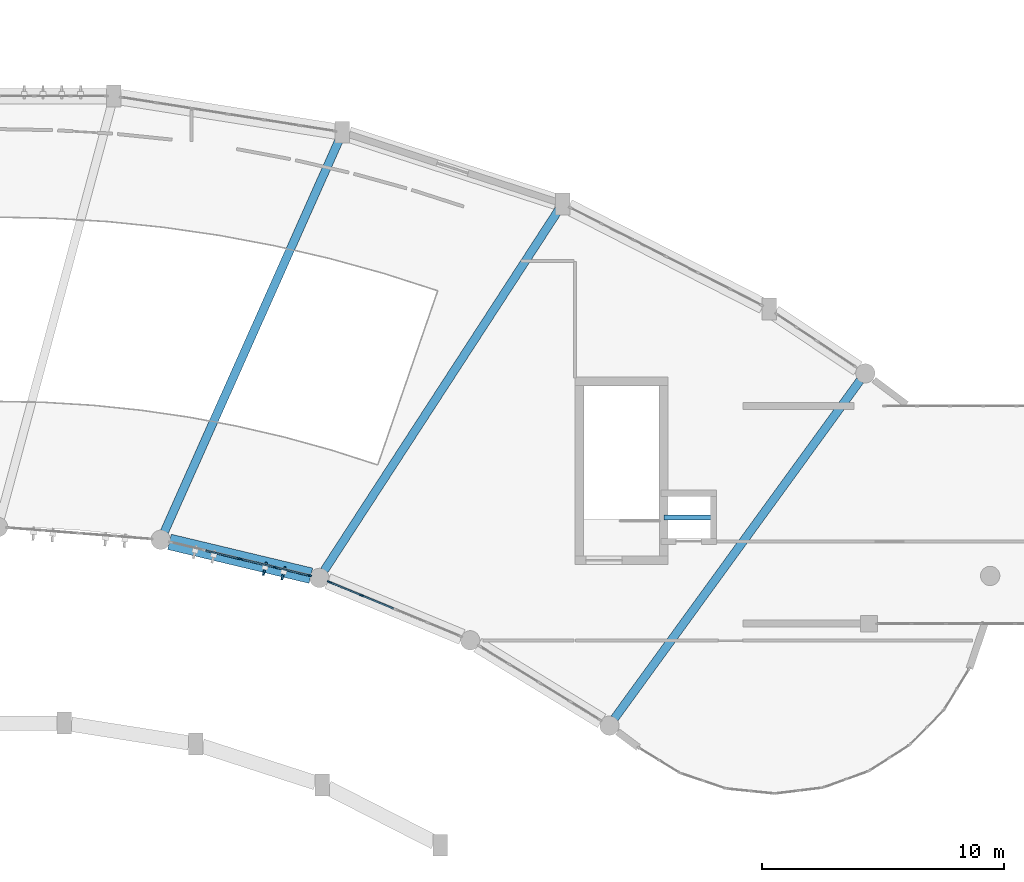
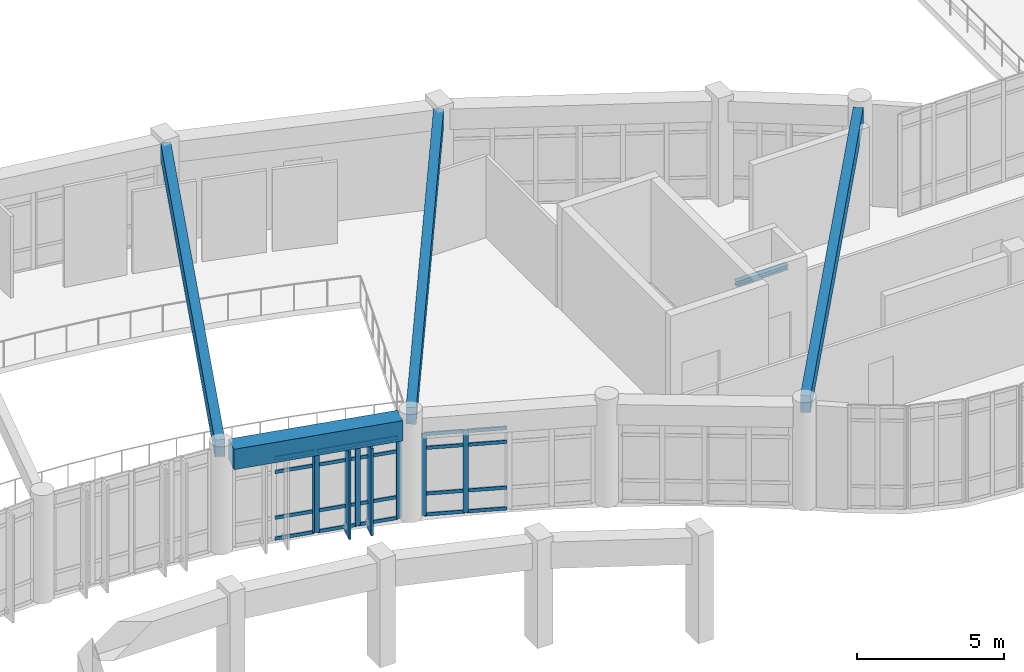
# One storey, part 18 of 54: 28 members, 5 beams, 3 elements without a shape of their own.
"""IFC4 building model written with IfcOpenShell, lengths in metres."""

from ifc_helpers import new_model, si_unit, direction, frame, origin, origin_2d, place, context, subcontext, project, spatial, rectangle, i_section, extrude, material, layer, layer_set, material_profile, profile_set, type_object, element, aggregate, save


model = new_model("IFC4")

# Units and contexts
model_context = context("Model", 3, precision=1e-05, world=origin(), true_north=direction((0.0, 1.0)))
body_context = subcontext(model_context, "Body", "Model", "MODEL_VIEW")
ifc_project = project(units=[si_unit("LENGTHUNIT", "METRE"), si_unit("AREAUNIT", "SQUARE_METRE"), si_unit("VOLUMEUNIT", "CUBIC_METRE"), si_unit("PLANEANGLEUNIT", "RADIAN"), si_unit("MASSUNIT", "GRAM", prefix="KILO")], contexts=[model_context])

# Site, building, storey
site_placement = place(None, origin())
site = spatial("IfcSite", under=ifc_project, at=site_placement, CompositionType="ELEMENT")
building_placement = place(site_placement, origin())
building = spatial("IfcBuilding", under=site, at=building_placement, Name="Miralva Faculty of Natural Sciences", CompositionType="ELEMENT")
storey_placement = place(building_placement, frame((0.0, 0.0, 19.5)))
storey = spatial("IfcBuildingStorey", under=building, at=storey_placement, Name="L04", CompositionType="ELEMENT", Elevation=19.5)

# Beams
ifc_material_1 = material(Name="Concrete C40/50", Category="concrete")
ifc_material_profile_1 = material_profile(ifc_material_1, rectangle(XDim=0.35009765625, YDim=0.699951171875, at=origin_2d()), Name="RC 350x700")
ifc_profile_set_1 = profile_set([ifc_material_profile_1], Name="Concrete C40/50")
beam_type_1 = type_object("IfcBeamType", Name="BM-B04", PredefinedType="BEAM", material=ifc_profile_set_1)
beam_1_placement = place(storey_placement, frame((115.486328125, 14.087646484375, 3.909912109375), z_axis=(0.587845363803, 0.808973317394, 0.0), x_axis=(-0.808973317394, 0.587845363803, 0.0)))
element("IfcBeam", 1, at=beam_1_placement, inside=storey, type_object=beam_type_1, Name="Swept-arc radial girder L04-1", PredefinedType="BEAM", context=body_context, shape_type="SweptSolid", body=[
    extrude(rectangle(XDim=0.35009765625, YDim=0.699951171875, at=origin_2d()), origin(), (0.0, 0.0, 1.0), 17.26220703125),
])
beam_2_placement = place(storey_placement, frame((103.490478515625, 20.20849609375, 3.909912109375), z_axis=(0.545032231666, 0.838415091971, 0.0), x_axis=(-0.838415091971, 0.545032231666, 0.0)))
element("IfcBeam", 2, at=beam_2_placement, inside=storey, type_object=beam_type_1, Name="Swept-arc radial girder L04-3", PredefinedType="BEAM", context=body_context, shape_type="SweptSolid", body=[
    extrude(rectangle(XDim=0.35009765625, YDim=0.699951171875, at=origin_2d()), origin(), (0.0, 0.0, 1.0), 17.795654296875),
])
beam_3_placement = place(storey_placement, frame((96.8798828125, 21.80615234375, 3.909912109375), z_axis=(0.407302913898, 0.913293127276, 0.0), x_axis=(-0.913293127276, 0.407302913898, 0.0)))
element("IfcBeam", 3, at=beam_3_placement, inside=storey, type_object=beam_type_1, Name="Swept-arc radial girder L04-4", PredefinedType="BEAM", context=body_context, shape_type="SweptSolid", body=[
    extrude(rectangle(XDim=0.35009765625, YDim=0.699951171875, at=origin_2d()), origin(), (0.0, 0.0, 1.0), 17.794677734375),
])
ifc_material_2 = material(Name="Steel S355", Category="steel")
ifc_material_profile_2 = material_profile(ifc_material_2, i_section(OverallWidth=0.202880859375, OverallDepth=0.202880859375, WebThickness=0.007080078125, FlangeThickness=0.010986328125, FilletRadius=0.010009765625, at=origin_2d()), Name="W200x46")
ifc_profile_set_2 = profile_set([ifc_material_profile_2], Name="Steel S355")
beam_type_2 = type_object("IfcBeamType", Name="BM-SB04", PredefinedType="BEAM", material=ifc_profile_set_2)
beam_4_placement = place(storey_placement, frame((117.530029296875, 22.39990234375, 3.199951171875), z_axis=(1.0, 0.0, 0.0), x_axis=(0.0, 1.0, 0.0)))
element("IfcBeam", 4, at=beam_4_placement, inside=storey, type_object=beam_type_2, Name="Lift L-05 hoistway separator steel beam", PredefinedType="BEAM", context=body_context, shape_type="SweptSolid", body=[
    extrude(i_section(OverallWidth=0.202880859375, OverallDepth=0.202880859375, WebThickness=0.007080078125, FlangeThickness=0.010986328125, FilletRadius=0.010009765625, at=origin_2d()), origin(), (0.0, 0.0, 1.0), 2.0400390625),
])
ifc_material_profile_3 = material_profile(ifc_material_1, rectangle(XDim=0.64990234375, YDim=0.85009765625, at=origin_2d()), Name="RC 650x850")
ifc_profile_set_3 = profile_set([ifc_material_profile_3], Name="Concrete C40/50")
beam_type_3 = type_object("IfcBeamType", Name="BM-SP03", PredefinedType="SPANDREL", material=ifc_profile_set_3)
beam_5_placement = place(storey_placement, frame((102.93212890625, 19.985595703125, 3.8349609375), z_axis=(-0.97253572319, 0.232753661883, 0.0), x_axis=(-0.232753661883, -0.97253572319, 0.0)))
element("IfcBeam", 5, at=beam_5_placement, inside=storey, type_object=beam_type_3, Name="Curved chord girder ARCIN L04-3", PredefinedType="SPANDREL", context=body_context, shape_type="SweptSolid", body=[
    extrude(rectangle(XDim=0.64990234375, YDim=0.85009765625, at=origin_2d()), origin(), (0.0, 0.0, 1.0), 6.00927734375),
])

# Curtain wall, member
ifc_material_3 = material(Name="Laminated solar-control glass", Category="glass")
ifc_layer = layer(ifc_material_3, 0.179931640625, Name="CW-ARC-L03")
ifc_layer_set = layer_set([ifc_layer], Name="Laminated solar-control glass")
curtain_wall_type = type_object("IfcCurtainWallType", Name="CW-ARC-L03", PredefinedType="USERDEFINED", material=ifc_layer_set)
curtain_wall_1_placement = place(storey_placement, origin())
curtain_wall_1 = element("IfcCurtainWall", 6, at=curtain_wall_1_placement, inside=storey, type_object=curtain_wall_type, Name="Curtain wall CW-03 L04-167", ObjectType="UNITISED CURTAIN WALL", PredefinedType="USERDEFINED")
ifc_material_4 = material(Name="Anodised aluminium", Category="aluminium")
ifc_material_profile_4 = material_profile(ifc_material_4, rectangle(XDim=0.06494140625, YDim=0.179931640625, at=origin_2d()), Name="MULLION 65x180")
ifc_profile_set_4 = profile_set([ifc_material_profile_4], Name="Anodised aluminium")
member_type_1 = type_object("IfcMemberType", Name="CW-M01", PredefinedType="MULLION", material=ifc_profile_set_4)
member_1_placement = place(storey_placement, frame((99.9755859375, 20.690673828125, 0.0), z_axis=(0.0, 0.0, 1.0), x_axis=(0.233456753574, 0.972367185898, 0.0)))
member_1 = element("IfcMember", 7, at=member_1_placement, type_object=member_type_1, Name="CW-03 mullion 3", PredefinedType="MULLION", context=body_context, shape_type="SweptSolid", body=[
    extrude(rectangle(XDim=0.06494140625, YDim=0.179931640625, at=origin_2d()), origin(), (0.0, 0.0, 1.0), 3.405029296875),
])

# Curtain wall, members
curtain_wall_2_placement = place(storey_placement, origin())
curtain_wall_2 = element("IfcCurtainWall", 8, at=curtain_wall_2_placement, inside=storey, type_object=curtain_wall_type, Name="Curtain wall CW-03 L04-168", ObjectType="UNITISED CURTAIN WALL", PredefinedType="USERDEFINED")
member_2_placement = place(storey_placement, frame((100.033935546875, 20.676513671875, 0.0), z_axis=(0.0, 0.0, 1.0), x_axis=(0.233464217213, 0.972365393914, 0.0)))
member_2 = element("IfcMember", 9, at=member_2_placement, type_object=member_type_1, Name="CW-03 mullion 1", PredefinedType="MULLION", context=body_context, shape_type="SweptSolid", body=[
    extrude(rectangle(XDim=0.06494140625, YDim=0.179931640625, at=origin_2d()), origin(), (0.0, 0.0, 1.0), 3.405029296875),
])
member_3_placement = place(storey_placement, frame((101.452880859375, 20.3359375, 0.0), z_axis=(0.0, 0.0, 1.0), x_axis=(0.233464217213, 0.972365393914, 0.0)))
member_3 = element("IfcMember", 10, at=member_3_placement, type_object=member_type_1, Name="CW-03 mullion 2", PredefinedType="MULLION", context=body_context, shape_type="SweptSolid", body=[
    extrude(rectangle(XDim=0.06494140625, YDim=0.179931640625, at=origin_2d()), origin(), (0.0, 0.0, 1.0), 3.405029296875),
])
member_4_placement = place(storey_placement, frame((102.8720703125, 19.9951171875, 0.0), z_axis=(0.0, 0.0, 1.0), x_axis=(0.233464217213, 0.972365393914, 0.0)))
member_4 = element("IfcMember", 11, at=member_4_placement, type_object=member_type_1, Name="CW-03 mullion 3", PredefinedType="MULLION", context=body_context, shape_type="SweptSolid", body=[
    extrude(rectangle(XDim=0.06494140625, YDim=0.179931640625, at=origin_2d()), origin(), (0.0, 0.0, 1.0), 3.405029296875),
])

curtain_wall_3_placement = place(storey_placement, origin())
curtain_wall_3 = element("IfcCurtainWall", 12, at=curtain_wall_3_placement, inside=storey, type_object=curtain_wall_type, Name="Curtain wall CW-03 L04-169", ObjectType="UNITISED CURTAIN WALL", PredefinedType="USERDEFINED")
member_5_placement = place(storey_placement, frame((103.701171875, 19.72412109375, 0.0), z_axis=(0.0, 0.0, 1.0), x_axis=(0.382656259046, 0.9238907876, 0.0)))
member_5 = element("IfcMember", 13, at=member_5_placement, type_object=member_type_1, Name="CW-03 mullion 1", PredefinedType="MULLION", context=body_context, shape_type="SweptSolid", body=[
    extrude(rectangle(XDim=0.06494140625, YDim=0.179931640625, at=origin_2d()), origin(), (0.0, 0.0, 1.0), 3.405029296875),
])
member_6_placement = place(storey_placement, frame((105.037841796875, 19.17041015625, 0.0), z_axis=(0.0, 0.0, 1.0), x_axis=(0.382656259046, 0.9238907876, 0.0)))
member_6 = element("IfcMember", 14, at=member_6_placement, type_object=member_type_1, Name="CW-03 mullion 2", PredefinedType="MULLION", context=body_context, shape_type="SweptSolid", body=[
    extrude(rectangle(XDim=0.06494140625, YDim=0.179931640625, at=origin_2d()), origin(), (0.0, 0.0, 1.0), 3.405029296875),
])

# Member
ifc_material_profile_5 = material_profile(ifc_material_4, rectangle(XDim=0.06494140625, YDim=0.139892578125, at=origin_2d()), Name="TRANSOM 65x140")
ifc_profile_set_5 = profile_set([ifc_material_profile_5], Name="Anodised aluminium")
member_type_2 = type_object("IfcMemberType", Name="CW-T01", PredefinedType="USERDEFINED", material=ifc_profile_set_5)
member_7_placement = place(storey_placement, frame((98.590576171875, 21.023193359375, 0.032470703125), z_axis=(0.972369786639, -0.233445920999, 0.0), x_axis=(0.233445920999, 0.972369786639, 0.0)))
member_7 = element("IfcMember", 15, at=member_7_placement, type_object=member_type_2, Name="CW-03 transom 2.1", ObjectType="TRANSOM", PredefinedType="USERDEFINED", context=body_context, shape_type="SweptSolid", body=[
    extrude(rectangle(XDim=0.06494140625, YDim=0.139892578125, at=origin_2d()), origin(), (0.0, 0.0, 1.0), 1.39208984375),
])

member_8_placement = place(storey_placement, frame((98.590576171875, 21.023193359375, 0.89990234375), z_axis=(0.972369786639, -0.233445920999, 0.0), x_axis=(0.233445920999, 0.972369786639, 0.0)))
member_8 = element("IfcMember", 16, at=member_8_placement, type_object=member_type_2, Name="CW-03 transom 2.2", ObjectType="TRANSOM", PredefinedType="USERDEFINED", context=body_context, shape_type="SweptSolid", body=[
    extrude(rectangle(XDim=0.06494140625, YDim=0.139892578125, at=origin_2d()), origin(), (0.0, 0.0, 1.0), 1.39208984375),
])

member_9_placement = place(storey_placement, frame((98.590576171875, 21.023193359375, 2.804931640625), z_axis=(0.972369786639, -0.233445920999, 0.0), x_axis=(0.233445920999, 0.972369786639, 0.0)))
member_9 = element("IfcMember", 17, at=member_9_placement, type_object=member_type_2, Name="CW-03 transom 2.3", ObjectType="TRANSOM", PredefinedType="USERDEFINED", context=body_context, shape_type="SweptSolid", body=[
    extrude(rectangle(XDim=0.06494140625, YDim=0.139892578125, at=origin_2d()), origin(), (0.0, 0.0, 1.0), 1.39208984375),
])

member_10_placement = place(storey_placement, frame((98.590576171875, 21.023193359375, 3.37255859375), z_axis=(0.972369786639, -0.233445920999, 0.0), x_axis=(0.233445920999, 0.972369786639, 0.0)))
member_10 = element("IfcMember", 18, at=member_10_placement, type_object=member_type_2, Name="CW-03 transom 2.4", ObjectType="TRANSOM", PredefinedType="USERDEFINED", context=body_context, shape_type="SweptSolid", body=[
    extrude(rectangle(XDim=0.06494140625, YDim=0.139892578125, at=origin_2d()), origin(), (0.0, 0.0, 1.0), 1.39208984375),
])

aggregate(curtain_wall_1, [member_1, member_7, member_8, member_9, member_10])

member_11_placement = place(storey_placement, frame((100.0654296875, 20.6689453125, 0.032470703125), z_axis=(0.972385712744, -0.233379574196, 0.0), x_axis=(0.233379574196, 0.972385712744, 0.0)))
member_11 = element("IfcMember", 19, at=member_11_placement, type_object=member_type_2, Name="CW-03 transom 1.1", ObjectType="TRANSOM", PredefinedType="USERDEFINED", context=body_context, shape_type="SweptSolid", body=[
    extrude(rectangle(XDim=0.06494140625, YDim=0.139892578125, at=origin_2d()), origin(), (0.0, 0.0, 1.0), 1.39453125),
])

member_12_placement = place(storey_placement, frame((100.0654296875, 20.6689453125, 0.89990234375), z_axis=(0.972385712744, -0.233379574196, 0.0), x_axis=(0.233379574196, 0.972385712744, 0.0)))
member_12 = element("IfcMember", 20, at=member_12_placement, type_object=member_type_2, Name="CW-03 transom 1.2", ObjectType="TRANSOM", PredefinedType="USERDEFINED", context=body_context, shape_type="SweptSolid", body=[
    extrude(rectangle(XDim=0.06494140625, YDim=0.139892578125, at=origin_2d()), origin(), (0.0, 0.0, 1.0), 1.39453125),
])

member_13_placement = place(storey_placement, frame((100.0654296875, 20.6689453125, 2.804931640625), z_axis=(0.972385712744, -0.233379574196, 0.0), x_axis=(0.233379574196, 0.972385712744, 0.0)))
member_13 = element("IfcMember", 21, at=member_13_placement, type_object=member_type_2, Name="CW-03 transom 1.3", ObjectType="TRANSOM", PredefinedType="USERDEFINED", context=body_context, shape_type="SweptSolid", body=[
    extrude(rectangle(XDim=0.06494140625, YDim=0.139892578125, at=origin_2d()), origin(), (0.0, 0.0, 1.0), 1.39453125),
])

member_14_placement = place(storey_placement, frame((100.0654296875, 20.6689453125, 3.37255859375), z_axis=(0.972385712744, -0.233379574196, 0.0), x_axis=(0.233379574196, 0.972385712744, 0.0)))
member_14 = element("IfcMember", 22, at=member_14_placement, type_object=member_type_2, Name="CW-03 transom 1.4", ObjectType="TRANSOM", PredefinedType="USERDEFINED", context=body_context, shape_type="SweptSolid", body=[
    extrude(rectangle(XDim=0.06494140625, YDim=0.139892578125, at=origin_2d()), origin(), (0.0, 0.0, 1.0), 1.39453125),
])

member_15_placement = place(storey_placement, frame((101.484619140625, 20.328369140625, 0.032470703125), z_axis=(0.972336417448, -0.233584869598, 0.0), x_axis=(0.233584869598, 0.972336417448, 0.0)))
member_15 = element("IfcMember", 23, at=member_15_placement, type_object=member_type_2, Name="CW-03 transom 2.1", ObjectType="TRANSOM", PredefinedType="USERDEFINED", context=body_context, shape_type="SweptSolid", body=[
    extrude(rectangle(XDim=0.06494140625, YDim=0.139892578125, at=origin_2d()), origin(), (0.0, 0.0, 1.0), 1.394287109375),
])

member_16_placement = place(storey_placement, frame((101.484619140625, 20.328369140625, 0.89990234375), z_axis=(0.972336417448, -0.233584869598, 0.0), x_axis=(0.233584869598, 0.972336417448, 0.0)))
member_16 = element("IfcMember", 24, at=member_16_placement, type_object=member_type_2, Name="CW-03 transom 2.2", ObjectType="TRANSOM", PredefinedType="USERDEFINED", context=body_context, shape_type="SweptSolid", body=[
    extrude(rectangle(XDim=0.06494140625, YDim=0.139892578125, at=origin_2d()), origin(), (0.0, 0.0, 1.0), 1.394287109375),
])

member_17_placement = place(storey_placement, frame((101.484619140625, 20.328369140625, 2.804931640625), z_axis=(0.972336417448, -0.233584869598, 0.0), x_axis=(0.233584869598, 0.972336417448, 0.0)))
member_17 = element("IfcMember", 25, at=member_17_placement, type_object=member_type_2, Name="CW-03 transom 2.3", ObjectType="TRANSOM", PredefinedType="USERDEFINED", context=body_context, shape_type="SweptSolid", body=[
    extrude(rectangle(XDim=0.06494140625, YDim=0.139892578125, at=origin_2d()), origin(), (0.0, 0.0, 1.0), 1.394287109375),
])

member_18_placement = place(storey_placement, frame((101.484619140625, 20.328369140625, 3.37255859375), z_axis=(0.972336417448, -0.233584869598, 0.0), x_axis=(0.233584869598, 0.972336417448, 0.0)))
member_18 = element("IfcMember", 26, at=member_18_placement, type_object=member_type_2, Name="CW-03 transom 2.4", ObjectType="TRANSOM", PredefinedType="USERDEFINED", context=body_context, shape_type="SweptSolid", body=[
    extrude(rectangle(XDim=0.06494140625, YDim=0.139892578125, at=origin_2d()), origin(), (0.0, 0.0, 1.0), 1.394287109375),
])

aggregate(curtain_wall_2, [member_2, member_3, member_4, member_11, member_12, member_13, member_14, member_15, member_16, member_17, member_18])

member_19_placement = place(storey_placement, frame((103.731201171875, 19.711669921875, 0.032470703125), z_axis=(0.923874704855, -0.382695087151, 0.0), x_axis=(0.382695087151, 0.923874704855, 0.0)))
member_19 = element("IfcMember", 27, at=member_19_placement, type_object=member_type_2, Name="CW-03 transom 1.1", ObjectType="TRANSOM", PredefinedType="USERDEFINED", context=body_context, shape_type="SweptSolid", body=[
    extrude(rectangle(XDim=0.06494140625, YDim=0.139892578125, at=origin_2d()), origin(), (0.0, 0.0, 1.0), 1.3818359375),
])

member_20_placement = place(storey_placement, frame((103.731201171875, 19.711669921875, 0.89990234375), z_axis=(0.923874704855, -0.382695087151, 0.0), x_axis=(0.382695087151, 0.923874704855, 0.0)))
member_20 = element("IfcMember", 28, at=member_20_placement, type_object=member_type_2, Name="CW-03 transom 1.2", ObjectType="TRANSOM", PredefinedType="USERDEFINED", context=body_context, shape_type="SweptSolid", body=[
    extrude(rectangle(XDim=0.06494140625, YDim=0.139892578125, at=origin_2d()), origin(), (0.0, 0.0, 1.0), 1.3818359375),
])

member_21_placement = place(storey_placement, frame((103.731201171875, 19.711669921875, 2.804931640625), z_axis=(0.923874704855, -0.382695087151, 0.0), x_axis=(0.382695087151, 0.923874704855, 0.0)))
member_21 = element("IfcMember", 29, at=member_21_placement, type_object=member_type_2, Name="CW-03 transom 1.3", ObjectType="TRANSOM", PredefinedType="USERDEFINED", context=body_context, shape_type="SweptSolid", body=[
    extrude(rectangle(XDim=0.06494140625, YDim=0.139892578125, at=origin_2d()), origin(), (0.0, 0.0, 1.0), 1.3818359375),
])

member_22_placement = place(storey_placement, frame((103.731201171875, 19.711669921875, 3.37255859375), z_axis=(0.923874704855, -0.382695087151, 0.0), x_axis=(0.382695087151, 0.923874704855, 0.0)))
member_22 = element("IfcMember", 30, at=member_22_placement, type_object=member_type_2, Name="CW-03 transom 1.4", ObjectType="TRANSOM", PredefinedType="USERDEFINED", context=body_context, shape_type="SweptSolid", body=[
    extrude(rectangle(XDim=0.06494140625, YDim=0.139892578125, at=origin_2d()), origin(), (0.0, 0.0, 1.0), 1.3818359375),
])

member_23_placement = place(storey_placement, frame((105.06787109375, 19.157958984375, 0.032470703125), z_axis=(0.923963016378, -0.382481822268, 0.0), x_axis=(0.382481822268, 0.923963016378, 0.0)))
member_23 = element("IfcMember", 31, at=member_23_placement, type_object=member_type_2, Name="CW-03 transom 2.1", ObjectType="TRANSOM", PredefinedType="USERDEFINED", context=body_context, shape_type="SweptSolid", body=[
    extrude(rectangle(XDim=0.06494140625, YDim=0.139892578125, at=origin_2d()), origin(), (0.0, 0.0, 1.0), 1.3818359375),
])

member_24_placement = place(storey_placement, frame((105.06787109375, 19.157958984375, 0.89990234375), z_axis=(0.923963016378, -0.382481822268, 0.0), x_axis=(0.382481822268, 0.923963016378, 0.0)))
member_24 = element("IfcMember", 32, at=member_24_placement, type_object=member_type_2, Name="CW-03 transom 2.2", ObjectType="TRANSOM", PredefinedType="USERDEFINED", context=body_context, shape_type="SweptSolid", body=[
    extrude(rectangle(XDim=0.06494140625, YDim=0.139892578125, at=origin_2d()), origin(), (0.0, 0.0, 1.0), 1.3818359375),
])

member_25_placement = place(storey_placement, frame((105.06787109375, 19.157958984375, 2.804931640625), z_axis=(0.923963016378, -0.382481822268, 0.0), x_axis=(0.382481822268, 0.923963016378, 0.0)))
member_25 = element("IfcMember", 33, at=member_25_placement, type_object=member_type_2, Name="CW-03 transom 2.3", ObjectType="TRANSOM", PredefinedType="USERDEFINED", context=body_context, shape_type="SweptSolid", body=[
    extrude(rectangle(XDim=0.06494140625, YDim=0.139892578125, at=origin_2d()), origin(), (0.0, 0.0, 1.0), 1.3818359375),
])

member_26_placement = place(storey_placement, frame((105.06787109375, 19.157958984375, 3.37255859375), z_axis=(0.923963016378, -0.382481822268, 0.0), x_axis=(0.382481822268, 0.923963016378, 0.0)))
member_26 = element("IfcMember", 34, at=member_26_placement, type_object=member_type_2, Name="CW-03 transom 2.4", ObjectType="TRANSOM", PredefinedType="USERDEFINED", context=body_context, shape_type="SweptSolid", body=[
    extrude(rectangle(XDim=0.06494140625, YDim=0.139892578125, at=origin_2d()), origin(), (0.0, 0.0, 1.0), 1.3818359375),
])

aggregate(curtain_wall_3, [member_5, member_6, member_19, member_20, member_21, member_22, member_23, member_24, member_25, member_26])

# Members
ifc_material_profile_6 = material_profile(ifc_material_4, rectangle(XDim=0.080078125, YDim=0.550048828125, at=origin_2d()), Name="FIN 550x80")
ifc_profile_set_6 = profile_set([ifc_material_profile_6], Name="Anodised aluminium")
member_type_3 = type_object("IfcMemberType", Name="MEM-SF01", PredefinedType="USERDEFINED", material=ifc_profile_set_6)
for number, where, z_axis, x_axis, name in (
    (35, (101.030517578125, 20.272705078125, -0.239990234375), (0.0, 0.0, 1.0), (0.972369920398, -0.233445363856, 0.0), "Solar shading fin SF-01 L04-131"),
    (36, (101.800537109375, 20.087890625, -0.239990234375), (0.0, 0.0, 1.0), (0.972369920398, -0.233445363856, 0.0), "Solar shading fin SF-01 L04-132"),
):
    element("IfcMember", number, at=place(storey_placement, frame(where, z_axis=z_axis, x_axis=x_axis)), inside=storey, type_object=member_type_3, Name=name, ObjectType="SUNSHADE", PredefinedType="USERDEFINED", context=body_context, shape_type="SweptSolid", body=[
        extrude(rectangle(XDim=0.080078125, YDim=0.550048828125, at=origin_2d()), origin(), (0.0, 0.0, 1.0), 3.64501953125),
    ])

save(model, "model.ifc")
